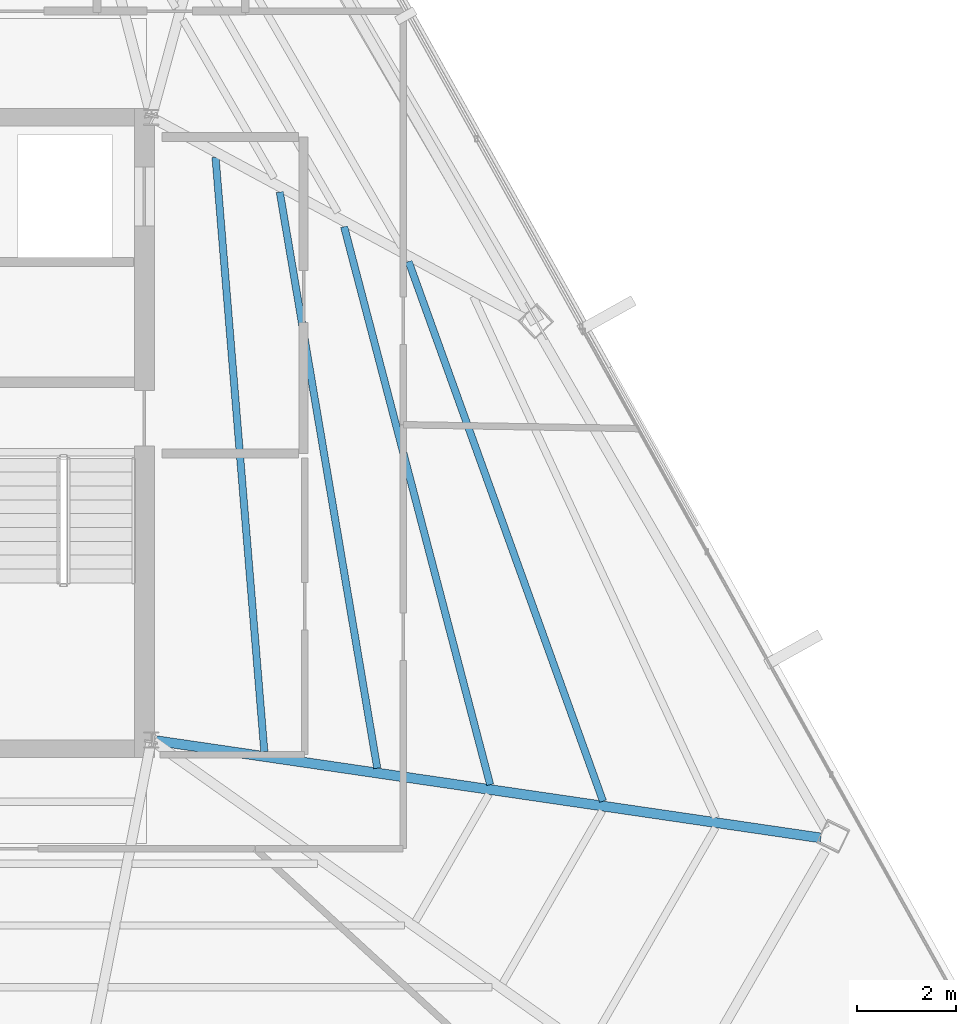
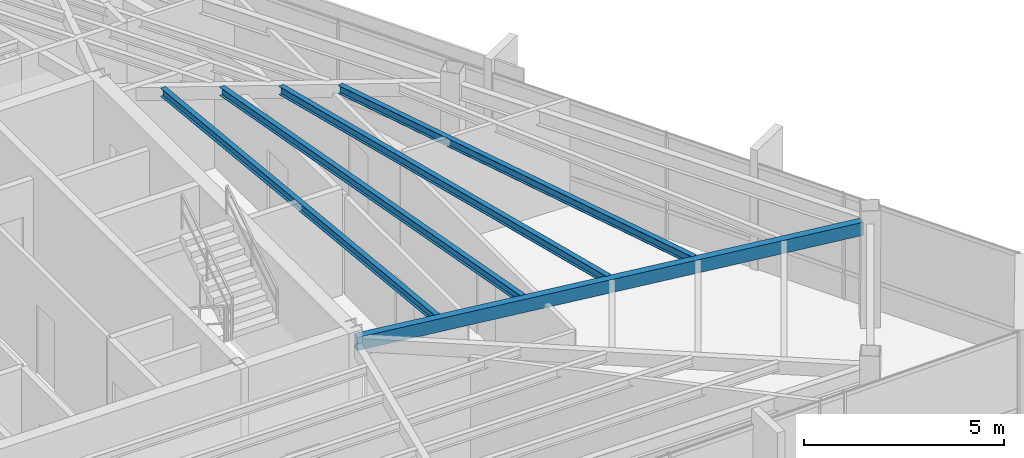
# One storey, part 24 of 44: 5 beams.
"""IFC4 building model written with IfcOpenShell, lengths in metres."""

from ifc_helpers import new_model, si_unit, direction, frame, origin, origin_2d, place, context, subcontext, project, spatial, hollow_rectangle, i_section, extrude, source, transform, mapped, material, material_profile, profile_set, type_object, type_shapes, element, save


model = new_model("IFC4")

# Units and contexts
model_context = context("Model", 3, precision=1e-05, world=origin(), true_north=direction((0.0, 1.0)))
body_context = subcontext(model_context, "Body", "Model", "MODEL_VIEW")
ifc_project = project(units=[si_unit("LENGTHUNIT", "METRE"), si_unit("AREAUNIT", "SQUARE_METRE"), si_unit("VOLUMEUNIT", "CUBIC_METRE"), si_unit("PLANEANGLEUNIT", "RADIAN"), si_unit("MASSUNIT", "GRAM", prefix="KILO")], contexts=[model_context])

# Site, building, storey
site_placement = place(None, origin())
site = spatial("IfcSite", under=ifc_project, at=site_placement, CompositionType="ELEMENT")
building_placement = place(site_placement, origin())
building = spatial("IfcBuilding", under=site, at=building_placement, Name="Caelisora Broadcast Tower", CompositionType="ELEMENT")
storey_placement = place(building_placement, frame((0.0, 0.0, 280.949951171875)))
storey = spatial("IfcBuildingStorey", under=building, at=storey_placement, Name="L74", CompositionType="ELEMENT", Elevation=280.949951171875)

# Beams
ifc_material_1 = material(Name="Steel Grade 350 (AS/NZS 1163 C350L0)", Category="steel")
ifc_material_profile_1 = material_profile(ifc_material_1, hollow_rectangle(XDim=0.199951171875, YDim=0.39990234375, WallThickness=0.012451171875, at=origin_2d()), Name="Steel Grade 350 (AS/NZS 1163 C350L0)")
ifc_profile_set_1 = profile_set([ifc_material_profile_1], Name="Steel Grade 350 (AS/NZS 1163 C350L0)")
beam_type_1 = type_object("IfcBeamType", Name="PG07", PredefinedType="BEAM", material=ifc_profile_set_1)
shared_shape_1 = source(origin(), body_context, "Body", "SweptSolid", [
    extrude(hollow_rectangle(XDim=0.199951171875, YDim=0.39990234375, WallThickness=0.012451171875, at=origin_2d()), origin(), (0.0, 0.0, 1.0), 13.6328125),
])
type_shapes(beam_type_1, [shared_shape_1])
beam_1_placement = place(storey_placement, frame((45.559326171875, 17.391357421875, 3.050048828125), z_axis=(0.98945724639, -0.144825265634, 0.0), x_axis=(0.144825265634, 0.98945724639, 0.0)))
element("IfcBeam", 1, at=beam_1_placement, inside=storey, type_object=beam_type_1, Name="L74 beam PG07", PredefinedType="BEAM", context=body_context, shape_type="MappedRepresentation", body=[
    mapped(shared_shape_1, transform((0.0, 0.0, 0.0), scale=1.0)),
])
ifc_material_2 = material(Name="Steel Grade 350 (AS/NZS 3679.1)", Category="steel")
ifc_material_profile_2 = material_profile(ifc_material_2, i_section(OverallWidth=0.14599609375, OverallDepth=0.256103515625, WebThickness=0.00634765625, FlangeThickness=0.010986328125, at=origin_2d()), Name="Steel Grade 350 (AS/NZS 3679.1)")
ifc_profile_set_2 = profile_set([ifc_material_profile_2], Name="Steel Grade 350 (AS/NZS 3679.1)")
beam_type_2 = type_object("IfcBeamType", Name="SB04", PredefinedType="JOIST", material=ifc_profile_set_2)
shared_shape_2 = source(origin(), body_context, "Body", "SweptSolid", [
    extrude(i_section(OverallWidth=0.14599609375, OverallDepth=0.256103515625, WebThickness=0.00634765625, FlangeThickness=0.010986328125, at=origin_2d()), origin(), (0.0, 0.0, 1.0), 12.06640625),
])
beam_2_placement = place(storey_placement, frame((47.7861328125, 17.16357421875, 3.1220703125), z_axis=(-0.081843150823, 0.996645222064, 0.0), x_axis=(-0.996645222064, -0.081843150823, 0.0)))
element("IfcBeam", 2, at=beam_2_placement, inside=storey, type_object=beam_type_2, Name="L74 beam SB04", PredefinedType="JOIST", context=body_context, shape_type="MappedRepresentation", body=[
    mapped(shared_shape_2, transform((0.0, 0.0, 0.0), scale=1.0)),
])
shared_shape_3 = source(origin(), body_context, "Body", "SweptSolid", [
    extrude(i_section(OverallWidth=0.14599609375, OverallDepth=0.256103515625, WebThickness=0.00634765625, FlangeThickness=0.010986328125, at=origin_2d()), origin(), (0.0, 0.0, 1.0), 11.8251953125),
])
beam_3_placement = place(storey_placement, frame((50.071533203125, 16.8291015625, 3.1220703125), z_axis=(-0.166819087702, 0.985987521208, 0.0), x_axis=(-0.985987521208, -0.166819087702, 0.0)))
element("IfcBeam", 3, at=beam_3_placement, inside=storey, type_object=beam_type_2, Name="L74 beam SB04", PredefinedType="JOIST", context=body_context, shape_type="MappedRepresentation", body=[
    mapped(shared_shape_3, transform((0.0, 0.0, 0.0), scale=1.0)),
])
shared_shape_4 = source(origin(), body_context, "Body", "SweptSolid", [
    extrude(i_section(OverallWidth=0.14599609375, OverallDepth=0.256103515625, WebThickness=0.00634765625, FlangeThickness=0.010986328125, at=origin_2d()), origin(), (0.0, 0.0, 1.0), 11.672119140625),
])
beam_4_placement = place(storey_placement, frame((52.356201171875, 16.494873046875, 3.1220703125), z_axis=(-0.253176229884, 0.96742017584, 0.0), x_axis=(-0.96742017584, -0.253176229884, 0.0)))
element("IfcBeam", 4, at=beam_4_placement, inside=storey, type_object=beam_type_2, Name="L74 beam SB04", PredefinedType="JOIST", context=body_context, shape_type="MappedRepresentation", body=[
    mapped(shared_shape_4, transform((0.0, 0.0, 0.0), scale=1.0)),
])
shared_shape_5 = source(origin(), body_context, "Body", "SweptSolid", [
    extrude(i_section(OverallWidth=0.14599609375, OverallDepth=0.256103515625, WebThickness=0.00634765625, FlangeThickness=0.010986328125, at=origin_2d()), origin(), (0.0, 0.0, 1.0), 11.609130859375),
])
type_shapes(beam_type_2, [shared_shape_2, shared_shape_3, shared_shape_4, shared_shape_5])
beam_5_placement = place(storey_placement, frame((54.639892578125, 16.16064453125, 3.1220703125), z_axis=(-0.338837127003, 0.940845046415, 0.0), x_axis=(-0.940845046415, -0.338837127003, 0.0)))
element("IfcBeam", 5, at=beam_5_placement, inside=storey, type_object=beam_type_2, Name="L74 beam SB04", PredefinedType="JOIST", context=body_context, shape_type="MappedRepresentation", body=[
    mapped(shared_shape_5, transform((0.0, 0.0, 0.0), scale=1.0)),
])

save(model, "model.ifc")
